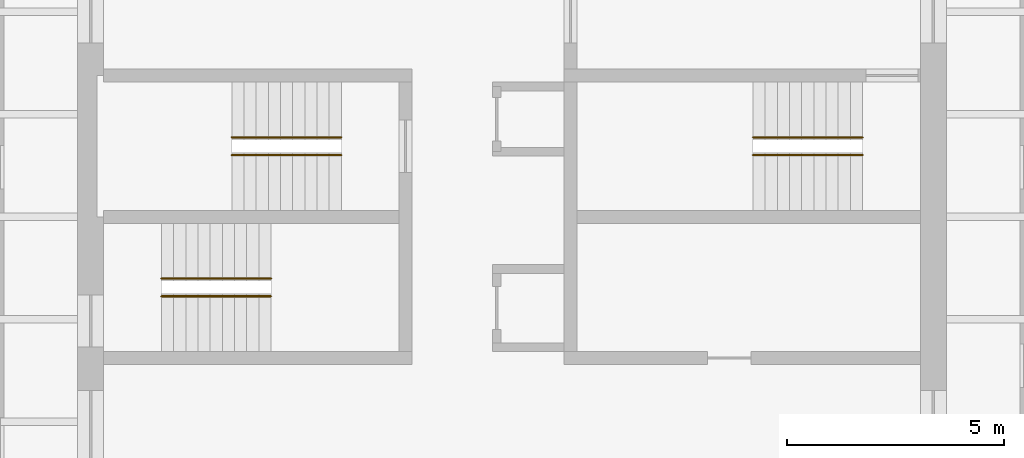
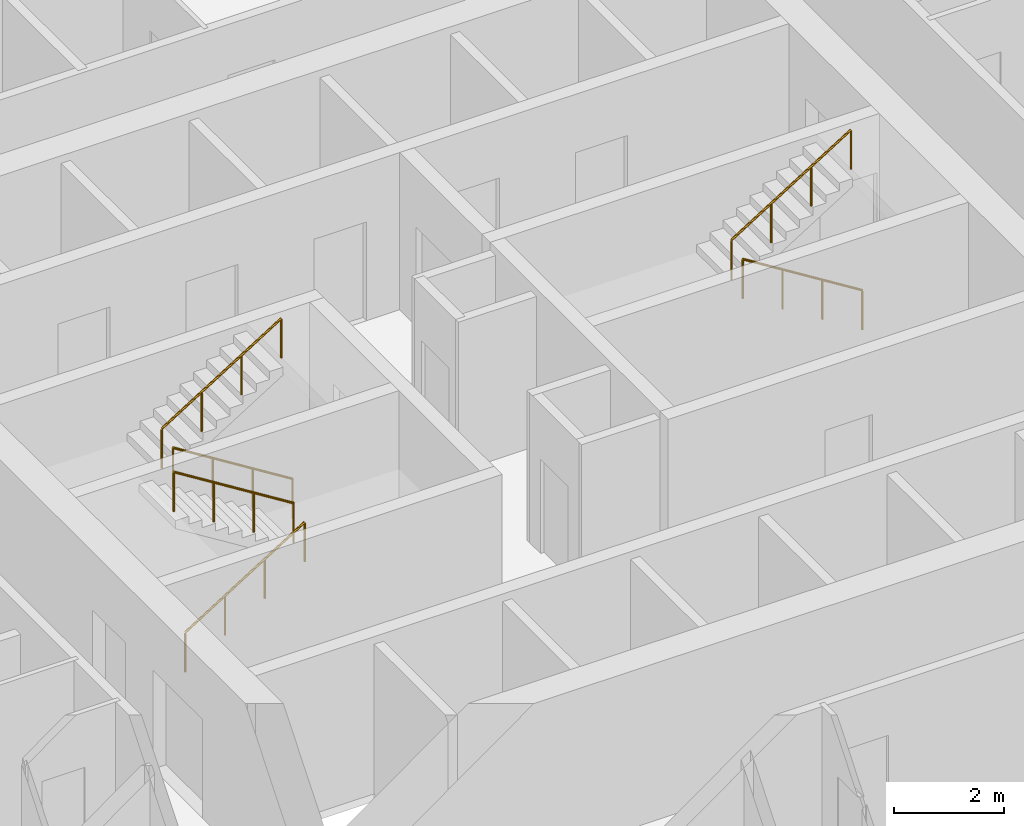
# One storey, part 9 of 9: 6 railings.
"""IFC4 building model written with IfcOpenShell, lengths in metres."""

from ifc_helpers import new_model, si_unit, direction, frame, origin, origin_2d, place, context, subcontext, project, spatial, circle, extrude, material, type_object, element, save


model = new_model("IFC4")

# Units and contexts
model_context = context("Model", 3, precision=1e-05, world=origin(), true_north=direction((0.0, 1.0)))
body_context = subcontext(model_context, "Body", "Model", "MODEL_VIEW")
ifc_project = project(units=[si_unit("LENGTHUNIT", "METRE"), si_unit("AREAUNIT", "SQUARE_METRE"), si_unit("VOLUMEUNIT", "CUBIC_METRE"), si_unit("PLANEANGLEUNIT", "RADIAN"), si_unit("MASSUNIT", "GRAM", prefix="KILO")], contexts=[model_context])

# Site, building, storey
site_placement = place(None, origin())
site = spatial("IfcSite", under=ifc_project, at=site_placement, CompositionType="ELEMENT")
building_placement = place(site_placement, origin())
building = spatial("IfcBuilding", under=site, at=building_placement, Name="Turquesa Mirador Hotel Tower", CompositionType="ELEMENT")
storey_placement = place(building_placement, frame((0.0, 0.0, 131.89990234375)))
storey = spatial("IfcBuildingStorey", under=building, at=storey_placement, Name="L35", CompositionType="ELEMENT", Elevation=131.89990234375)

# Railings
ifc_material = material(Name="Painted steel handrail", Category="steel")
railing_type = type_object("IfcRailingType", Name="HANDRAIL 900 STEEL", PredefinedType="HANDRAIL", material=ifc_material)
railing_1_placement = place(storey_placement, frame((51.070068359375, 46.419921875, 0.175048828125)))
element("IfcRailing", 1, at=railing_1_placement, inside=storey, type_object=railing_type, Name="Handrail ST1", PredefinedType="HANDRAIL", context=body_context, shape_type="SweptSolid", body=[
    extrude(circle(Radius=0.02392578125, at=origin_2d()), frame((0.0, 0.0, 0.8759765625), z_axis=(-0.848007534815, 0.0, 0.529984170421), x_axis=(0.0, -1.0, 0.0)), (0.0, 0.0, 1.0), 2.9716796875),
    extrude(circle(Radius=0.02099609375, at=origin_2d()), origin(), (0.0, 0.0, 1.0), 0.851806640625),
    extrude(circle(Radius=0.02099609375, at=origin_2d()), frame((-0.840087890625, 0.0, 0.52490234375)), (0.0, 0.0, 1.0), 0.851806640625),
    extrude(circle(Radius=0.02099609375, at=origin_2d()), frame((-1.679931640625, 0.0, 1.050048828125)), (0.0, 0.0, 1.0), 0.851806640625),
    extrude(circle(Radius=0.02099609375, at=origin_2d()), frame((-2.52001953125, 0.0, 1.574951171875)), (0.0, 0.0, 1.0), 0.851806640625),
])
for number, where, name in (
    (2, (48.550048828125, 46.830078125, 1.925048828125), "Handrail ST1"),
    (3, (46.929931640625, 43.169921875, 0.175048828125), "Handrail ST2"),
):
    element("IfcRailing", number, at=place(storey_placement, frame(where)), inside=storey, type_object=railing_type, Name=name, PredefinedType="HANDRAIL", context=body_context, shape_type="SweptSolid", body=[
        extrude(circle(Radius=0.02392578125, at=origin_2d()), frame((0.0, 0.0, 0.8759765625), z_axis=(0.848007534815, 0.0, 0.529984170421), x_axis=(0.0, 1.0, 0.0)), (0.0, 0.0, 1.0), 2.9716796875),
        extrude(circle(Radius=0.02099609375, at=origin_2d()), origin(), (0.0, 0.0, 1.0), 0.851806640625),
        extrude(circle(Radius=0.02099609375, at=origin_2d()), frame((0.840087890625, 0.0, 0.52490234375)), (0.0, 0.0, 1.0), 0.851806640625),
        extrude(circle(Radius=0.02099609375, at=origin_2d()), frame((1.679931640625, 0.0, 1.050048828125)), (0.0, 0.0, 1.0), 0.851806640625),
        extrude(circle(Radius=0.02099609375, at=origin_2d()), frame((2.52001953125, 0.0, 1.574951171875)), (0.0, 0.0, 1.0), 0.851806640625),
    ])
for number, where, name in (
    (4, (49.449951171875, 43.580078125, 1.925048828125), "Handrail ST2"),
    (5, (63.070068359375, 46.419921875, 0.175048828125), "Handrail ST3"),
):
    element("IfcRailing", number, at=place(storey_placement, frame(where)), inside=storey, type_object=railing_type, Name=name, PredefinedType="HANDRAIL", context=body_context, shape_type="SweptSolid", body=[
        extrude(circle(Radius=0.02392578125, at=origin_2d()), frame((0.0, 0.0, 0.8759765625), z_axis=(-0.848007534815, 0.0, 0.529984170421), x_axis=(0.0, -1.0, 0.0)), (0.0, 0.0, 1.0), 2.9716796875),
        extrude(circle(Radius=0.02099609375, at=origin_2d()), origin(), (0.0, 0.0, 1.0), 0.851806640625),
        extrude(circle(Radius=0.02099609375, at=origin_2d()), frame((-0.840087890625, 0.0, 0.52490234375)), (0.0, 0.0, 1.0), 0.851806640625),
        extrude(circle(Radius=0.02099609375, at=origin_2d()), frame((-1.679931640625, 0.0, 1.050048828125)), (0.0, 0.0, 1.0), 0.851806640625),
        extrude(circle(Radius=0.02099609375, at=origin_2d()), frame((-2.52001953125, 0.0, 1.574951171875)), (0.0, 0.0, 1.0), 0.851806640625),
    ])
railing_2_placement = place(storey_placement, frame((60.550048828125, 46.830078125, 1.925048828125)))
element("IfcRailing", 6, at=railing_2_placement, inside=storey, type_object=railing_type, Name="Handrail ST3", PredefinedType="HANDRAIL", context=body_context, shape_type="SweptSolid", body=[
    extrude(circle(Radius=0.02392578125, at=origin_2d()), frame((0.0, 0.0, 0.8759765625), z_axis=(0.848007534815, 0.0, 0.529984170421), x_axis=(0.0, 1.0, 0.0)), (0.0, 0.0, 1.0), 2.9716796875),
    extrude(circle(Radius=0.02099609375, at=origin_2d()), origin(), (0.0, 0.0, 1.0), 0.851806640625),
    extrude(circle(Radius=0.02099609375, at=origin_2d()), frame((0.840087890625, 0.0, 0.52490234375)), (0.0, 0.0, 1.0), 0.851806640625),
    extrude(circle(Radius=0.02099609375, at=origin_2d()), frame((1.679931640625, 0.0, 1.050048828125)), (0.0, 0.0, 1.0), 0.851806640625),
    extrude(circle(Radius=0.02099609375, at=origin_2d()), frame((2.52001953125, 0.0, 1.574951171875)), (0.0, 0.0, 1.0), 0.851806640625),
])

save(model, "model.ifc")
